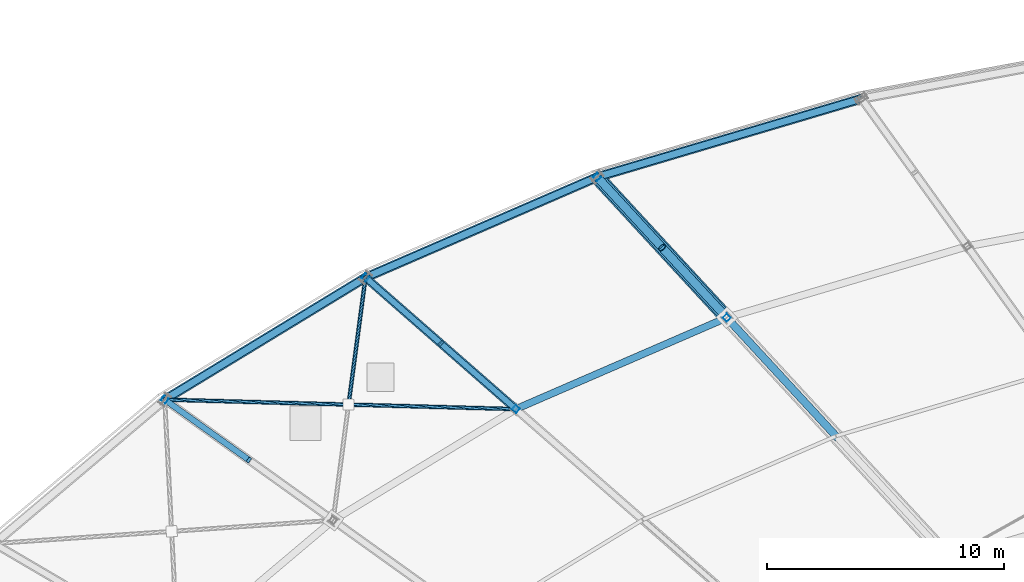
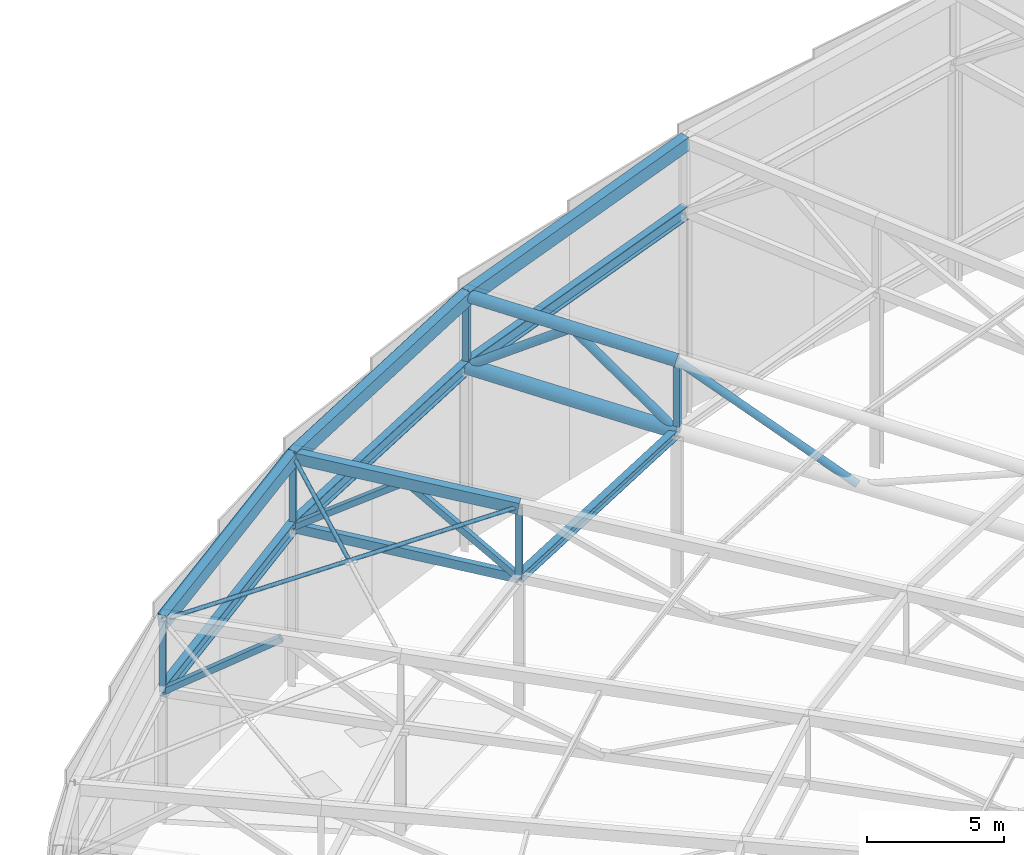
# One storey, part 87 of 143: 13 members, 11 beams.
"""IFC4 building model written with IfcOpenShell, lengths in metres."""

import ifcopenshell
import ifcopenshell.guid

model = None  # the IFC model being written
_history = None  # IfcOwnerHistory: only IFC2X3 demands one
_inside = {}  # id of a spatial element -> (the spatial element, [elements in it])
_under = {}  # id of a project, library or spatial element -> (it, [spatial elements below it])
_declared = {}  # id of a project -> (the project, [libraries it declares])
_typed = {}  # id of a type object -> (the type object, [elements of that type])
_made_of = {}  # id of a material, layer set ... -> (it, [elements and type objects made of it])


def new_model(schema):
    """Start an empty IFC model of exactly this schema.

    Asked for "IFC4X3", IfcOpenShell would pick the latest addendum, in which some entities
    have other attributes; the version numbers below select the first issue.
    IFC2X3 requires an IfcOwnerHistory on every rooted entity: one is made here for all.
    """
    global model, _history
    if schema == "IFC4X3":
        model = ifcopenshell.file(schema_version=(4, 3, 0, 0))
    else:
        model = ifcopenshell.file(schema=schema)
    _inside.clear()
    _under.clear()
    _declared.clear()
    _typed.clear()
    _made_of.clear()
    _history = None
    if model.schema == "IFC2X3":
        org = make("IfcOrganization", Name="unknown")
        user = make(
            "IfcPersonAndOrganization",
            ThePerson=make("IfcPerson", FamilyName="unknown"),
            TheOrganization=org,
        )
        app = make(
            "IfcApplication",
            ApplicationDeveloper=org,
            Version="unknown",
            ApplicationFullName="unknown",
            ApplicationIdentifier="unknown",
        )
        _history = make(
            "IfcOwnerHistory",
            OwningUser=user,
            OwningApplication=app,
            ChangeAction="ADDED",
            CreationDate=0,
        )
    return model


def make(cls, **values):
    """One entity of the class cls with the attributes given. An attribute that is None is left unset."""
    return model.create_entity(
        cls, **{name: value for name, value in values.items() if value is not None}
    )


def rooted(cls, **values):
    """An entity with a GlobalId (a new one), such as an element, a storey or a relation."""
    return make(cls, GlobalId=ifcopenshell.guid.new(), OwnerHistory=_history, **values)


def si_unit(unit_type, name, prefix=None):
    """IfcSIUnit, for example si_unit("LENGTHUNIT", "METRE", prefix="MILLI")."""
    return make("IfcSIUnit", UnitType=unit_type, Prefix=prefix, Name=name)


def assignment(units):
    """IfcUnitAssignment: the units of a project."""
    return None if units is None else make("IfcUnitAssignment", Units=units)


def point(xyz):
    """IfcCartesianPoint."""
    return None if xyz is None else make("IfcCartesianPoint", Coordinates=xyz)


def direction(xyz):
    """IfcDirection."""
    return None if xyz is None else make("IfcDirection", DirectionRatios=xyz)


def frame(location, z_axis=None, x_axis=None):
    """IfcAxis2Placement3D, a coordinate frame: its origin and axes. An axis left out is left unset."""
    return make(
        "IfcAxis2Placement3D",
        Location=point(location),
        Axis=direction(z_axis),
        RefDirection=direction(x_axis),
    )


def frame_2d(location, x_axis=None):
    """IfcAxis2Placement2D, a coordinate frame in the plane: its origin and x axis."""
    return make(
        "IfcAxis2Placement2D", Location=point(location), RefDirection=direction(x_axis)
    )


def origin():
    """The frame at (0, 0, 0) with its axes left unset."""
    return frame((0.0, 0.0, 0.0))


def origin_2d():
    """The frame at (0, 0) in the plane with its x axis left unset."""
    return frame_2d((0.0, 0.0))


def place(relative_to, where):
    """IfcLocalPlacement: puts the frame where relative to a parent placement (None: the world)."""
    return make(
        "IfcLocalPlacement", PlacementRelTo=relative_to, RelativePlacement=where
    )


def context(
    kind, dimensions, precision=None, world=None, true_north=None, identifier=None
):
    """IfcGeometricRepresentationContext, for example the 3D "Model" context."""
    return make(
        "IfcGeometricRepresentationContext",
        ContextIdentifier=identifier,
        ContextType=kind,
        CoordinateSpaceDimension=dimensions,
        Precision=precision,
        WorldCoordinateSystem=world,
        TrueNorth=true_north,
    )


def subcontext(parent, identifier, kind, view, scale=None):
    """IfcGeometricRepresentationSubContext, for example "Body" below "Model"."""
    return make(
        "IfcGeometricRepresentationSubContext",
        ContextIdentifier=identifier,
        ContextType=kind,
        ParentContext=parent,
        TargetScale=scale,
        TargetView=view,
    )


def project(units=None, contexts=None):
    """IfcProject with its units and contexts."""
    return rooted(
        "IfcProject",
        Name="project",
        RepresentationContexts=contexts,
        UnitsInContext=assignment(units),
    )


def spatial(cls, under=None, at=None, **own):
    """A site, building, storey or space (cls), placed at a placement, below another one or the project."""
    s = rooted(cls, ObjectPlacement=at, **own)
    if under is not None:
        _under.setdefault(under.id(), (under, []))[1].append(s)
    return s


def profile(cls, at=None, kind="AREA", **sizes):
    """A parametric profile (cls). Its sizes go by their IFC names, for example OverallWidth=200.0."""
    return make(cls, ProfileType=kind, Position=at, **sizes)


def hollow_rectangle(**sizes):
    """IfcRectangleHollowProfileDef."""
    return profile("IfcRectangleHollowProfileDef", **sizes)


def hollow_circle(**sizes):
    """IfcCircleHollowProfileDef."""
    return profile("IfcCircleHollowProfileDef", **sizes)


def i_section(**sizes):
    """IfcIShapeProfileDef."""
    return profile("IfcIShapeProfileDef", **sizes)


def extrude(swept, where, along, depth):
    """IfcExtrudedAreaSolid: the profile swept, set in the frame where, extruded along a direction by depth."""
    return make(
        "IfcExtrudedAreaSolid",
        SweptArea=swept,
        Position=where,
        ExtrudedDirection=direction(along),
        Depth=depth,
    )


def shape(context_of_items, identifier, shape_type, items):
    """IfcShapeRepresentation: the items that make up one representation, for example the "Body"."""
    return make(
        "IfcShapeRepresentation",
        ContextOfItems=context_of_items,
        RepresentationIdentifier=identifier,
        RepresentationType=shape_type,
        Items=items,
    )


def material(Name=None, Category=None):
    """IfcMaterial."""
    return make("IfcMaterial", Name=Name, Category=Category)


def material_profile(
    of_material, cross_section, Name=None, Category=None, Priority=None
):
    """IfcMaterialProfile: a cross section and its material."""
    return make(
        "IfcMaterialProfile",
        Name=Name,
        Material=of_material,
        Profile=cross_section,
        Priority=Priority,
        Category=Category,
    )


def profile_set(profiles, Name=None, composite=None):
    """IfcMaterialProfileSet."""
    return make(
        "IfcMaterialProfileSet",
        Name=Name,
        MaterialProfiles=profiles,
        CompositeProfile=composite,
    )


def made_of(thing, what):
    """Note that an element or type object is made of a material, layer set ...; save() writes the relation."""
    if what is not None:
        _made_of.setdefault(what.id(), (what, []))[1].append(thing)
    return thing


def type_object(cls, material=None, **own):
    """A type object (cls), such as IfcWallType, which elements share."""
    return made_of(rooted(cls, **own), material)


def element(
    cls,
    number,
    at=None,
    inside=None,
    cuts=None,
    type_object=None,
    material=None,
    context=None,
    identifier="Body",
    shape_type=None,
    held_by="IfcProductDefinitionShape",
    body=None,
    shapes=None,
    **own,
):
    """One element of the class cls, such as IfcWall. Its Tag is "e" and its number.

    at: its placement. inside: the storey or other place that contains it. cuts: it is an
    opening in that element (IfcRelVoidsElement). A single representation is given by context,
    identifier, shape_type and body (its items); several are given by shapes. held_by: the class
    of the entity that holds the representations. save() writes the other relations.
    """
    e = rooted(cls, Tag="e%d" % number, ObjectPlacement=at, **own)
    if body is not None:
        shapes = [shape(context, identifier, shape_type, body)]
    if shapes is not None:
        e.Representation = make(held_by, Representations=shapes)
    if inside is not None:
        _inside.setdefault(inside.id(), (inside, []))[1].append(e)
    if cuts is not None:
        rooted(
            "IfcRelVoidsElement", RelatingBuildingElement=cuts, RelatedOpeningElement=e
        )
    if type_object is not None:
        _typed.setdefault(type_object.id(), (type_object, []))[1].append(e)
    return made_of(e, material)


def aggregate(whole, parts):
    """IfcRelAggregates: a whole, such as a stair, and the parts it consists of."""
    return rooted("IfcRelAggregates", RelatingObject=whole, RelatedObjects=parts)


def save(model, path):
    """Write the relations noted so far, then the file.

    IfcRelAggregates (storeys below a building ...), IfcRelContainedInSpatialStructure (elements
    in a storey), IfcRelDefinesByType, IfcRelAssociatesMaterial and IfcRelDeclares: one each for
    every whole, place, type object, material and project.
    """
    for whole, parts in _under.values():
        aggregate(whole, parts)
    for where, things in _inside.values():
        rooted(
            "IfcRelContainedInSpatialStructure",
            RelatedElements=things,
            RelatingStructure=where,
        )
    for kind, things in _typed.values():
        rooted("IfcRelDefinesByType", RelatedObjects=things, RelatingType=kind)
    for what, things in _made_of.values():
        rooted("IfcRelAssociatesMaterial", RelatedObjects=things, RelatingMaterial=what)
    for by, libraries in _declared.values():
        rooted("IfcRelDeclares", RelatingContext=by, RelatedDefinitions=libraries)
    model.write(path)


model = new_model("IFC4")

# Units and contexts
model_context = context("Model", 3, precision=1e-05, world=origin(), true_north=direction((0.0, 1.0)))
body_context = subcontext(model_context, "Body", "Model", "MODEL_VIEW")
ifc_project = project(units=[si_unit("LENGTHUNIT", "METRE"), si_unit("AREAUNIT", "SQUARE_METRE"), si_unit("VOLUMEUNIT", "CUBIC_METRE"), si_unit("PLANEANGLEUNIT", "RADIAN"), si_unit("MASSUNIT", "GRAM", prefix="KILO")], contexts=[model_context])

# Site, building, storey
site_placement = place(None, origin())
site = spatial("IfcSite", under=ifc_project, at=site_placement, CompositionType="ELEMENT")
building_placement = place(site_placement, origin())
building = spatial("IfcBuilding", under=site, at=building_placement, Name="Mphavela Belvedere Stadium", CompositionType="ELEMENT")
storey_placement = place(building_placement, frame((0.0, 0.0, 28.800048828125)))
storey = spatial("IfcBuildingStorey", under=building, at=storey_placement, Name="RF", CompositionType="ELEMENT", Elevation=28.800048828125)

# Beams
ifc_material_1 = material(Name="Steel S355", Category="steel")
ifc_material_profile_1 = material_profile(ifc_material_1, hollow_rectangle(XDim=0.39990234375, YDim=0.60009765625, WallThickness=0.02001953125, at=origin_2d()), Name="RHS 600x400x20")
ifc_profile_set_1 = profile_set([ifc_material_profile_1], Name="Steel S355")
beam_type_1 = type_object("IfcBeamType", Name="BM-RING-OUT", PredefinedType="BEAM", material=ifc_profile_set_1)
beam_1_placement = place(storey_placement, frame((65.19873046875, 156.39697265625, 12.199951171875), z_axis=(-0.95516666064, -0.283530420158, -0.085247587922), x_axis=(0.284566298727, -0.958656362639, 0.0)))
element("IfcBeam", 1, at=beam_1_placement, inside=storey, type_object=beam_type_1, Name="Perimeter compression ring beam RB-OUT-16", PredefinedType="BEAM", context=body_context, shape_type="SweptSolid", body=[
    extrude(hollow_rectangle(XDim=0.39990234375, YDim=0.60009765625, WallThickness=0.02001953125, at=origin_2d()), origin(), (0.0, 0.0, 1.0), 11.658935546875),
])
beam_2_placement = place(storey_placement, frame((54.0625, 153.09130859375, 11.2060546875), z_axis=(-0.9121115164, -0.395403491348, -0.108206564865), x_axis=(0.397738842004, -0.91749867224, 0.0)))
element("IfcBeam", 2, at=beam_2_placement, inside=storey, type_object=beam_type_1, Name="Perimeter compression ring beam RB-OUT-17", PredefinedType="BEAM", context=body_context, shape_type="SweptSolid", body=[
    extrude(hollow_rectangle(XDim=0.39990234375, YDim=0.60009765625, WallThickness=0.02001953125, at=origin_2d()), origin(), (0.0, 0.0, 1.0), 10.69921875),
])
beam_3_placement = place(storey_placement, frame((44.3037109375, 148.86083984375, 10.04833984375), z_axis=(-0.847679486855, -0.515692686756, -0.124501166227), x_axis=(0.51973651678, -0.854326607994, 0.0)))
element("IfcBeam", 3, at=beam_3_placement, inside=storey, type_object=beam_type_1, Name="Perimeter compression ring beam RB-OUT-18", PredefinedType="BEAM", context=body_context, shape_type="SweptSolid", body=[
    extrude(hollow_rectangle(XDim=0.39990234375, YDim=0.60009765625, WallThickness=0.02001953125, at=origin_2d()), origin(), (0.0, 0.0, 1.0), 9.979248046875),
])
ifc_material_2 = material(Name="Steel S355", Category="steel")
ifc_material_profile_2 = material_profile(ifc_material_2, i_section(OverallWidth=0.300048828125, OverallDepth=0.39990234375, WebThickness=0.013427734375, FlangeThickness=0.02392578125, at=origin_2d()), Name="HEB 400")
ifc_profile_set_2 = profile_set([ifc_material_profile_2], Name="Steel S355")
beam_type_2 = type_object("IfcBeamType", Name="BM-STEEL-HEB400", PredefinedType="BEAM", material=ifc_profile_set_2)
beam_4_placement = place(storey_placement, frame((59.523681640625, 147.16796875, 6.88623046875), z_axis=(-0.912113994664, -0.395396453552, -0.108211391529), x_axis=(0.397731972832, -0.917501650019, 0.0)))
element("IfcBeam", 4, at=beam_4_placement, inside=storey, type_object=beam_type_2, Name="Roof bottom-chord tie girder R3-17", PredefinedType="BEAM", context=body_context, shape_type="SweptSolid", body=[
    extrude(i_section(OverallWidth=0.300048828125, OverallDepth=0.39990234375, WebThickness=0.013427734375, FlangeThickness=0.02392578125, at=origin_2d()), origin(), (0.0, 0.0, 1.0), 9.73974609375),
])
ifc_material_3 = material(Name="Steel S355", Category="steel")
ifc_material_profile_3 = material_profile(ifc_material_3, i_section(OverallWidth=0.300048828125, OverallDepth=0.60009765625, WebThickness=0.015380859375, FlangeThickness=0.030029296875, at=origin_2d()), Name="HEB 600")
ifc_profile_set_3 = profile_set([ifc_material_profile_3], Name="Steel S355")
beam_type_3 = type_object("IfcBeamType", Name="BM-STEEL-HEB600", PredefinedType="BEAM", material=ifc_profile_set_3)
beam_5_placement = place(storey_placement, frame((65.19873046875, 156.39697265625, 9.10498046875), z_axis=(-0.955164955365, -0.283529913966, -0.085268375899), x_axis=(0.284566298727, -0.958656362639, 0.0)))
element("IfcBeam", 5, at=beam_5_placement, inside=storey, type_object=beam_type_3, Name="Roof bottom-chord tie girder R4-16", PredefinedType="BEAM", context=body_context, shape_type="SweptSolid", body=[
    extrude(i_section(OverallWidth=0.300048828125, OverallDepth=0.60009765625, WebThickness=0.015380859375, FlangeThickness=0.030029296875, at=origin_2d()), origin(), (0.0, 0.0, 1.0), 11.658935546875),
])
beam_6_placement = place(storey_placement, frame((54.0625, 153.09130859375, 8.11083984375), z_axis=(-0.912113768302, -0.395404467556, -0.108184013197), x_axis=(0.397738842004, -0.91749867224, 0.0)))
element("IfcBeam", 6, at=beam_6_placement, inside=storey, type_object=beam_type_3, Name="Roof bottom-chord tie girder R4-17", PredefinedType="BEAM", context=body_context, shape_type="SweptSolid", body=[
    extrude(i_section(OverallWidth=0.300048828125, OverallDepth=0.60009765625, WebThickness=0.015380859375, FlangeThickness=0.030029296875, at=origin_2d()), origin(), (0.0, 0.0, 1.0), 10.698974609375),
])
beam_7_placement = place(storey_placement, frame((44.3037109375, 148.86083984375, 6.953369140625), z_axis=(-0.847679486855, -0.515692686756, -0.124501166227), x_axis=(0.51973651678, -0.854326607994, 0.0)))
element("IfcBeam", 7, at=beam_7_placement, inside=storey, type_object=beam_type_3, Name="Roof bottom-chord tie girder R4-18", PredefinedType="BEAM", context=body_context, shape_type="SweptSolid", body=[
    extrude(i_section(OverallWidth=0.300048828125, OverallDepth=0.60009765625, WebThickness=0.015380859375, FlangeThickness=0.030029296875, at=origin_2d()), origin(), (0.0, 0.0, 1.0), 9.979248046875),
])
ifc_material_4 = material(Name="Steel S355", Category="steel")
ifc_material_profile_4 = material_profile(ifc_material_4, hollow_circle(Radius=0.304931640625, WallThickness=0.02490234375, at=origin_2d()), Name="CHS 610x25")
ifc_profile_set_4 = profile_set([ifc_material_profile_4], Name="Steel S355")
beam_type_4 = type_object("IfcBeamType", Name="BM-TRUSS-BC1", PredefinedType="BEAM", material=ifc_profile_set_4)
beam_8_placement = place(storey_placement, frame((54.0625, 153.09130859375, 8.11083984375), z_axis=(0.670146051541, -0.726857861437, -0.150272814812), x_axis=(0.735206448532, 0.67784325477, 0.0)))
element("IfcBeam", 8, at=beam_8_placement, inside=storey, type_object=beam_type_4, Name="Radial roof truss RT-17 bottom chord 1", PredefinedType="BEAM", context=body_context, shape_type="SweptSolid", body=[
    extrude(hollow_circle(Radius=0.304931640625, WallThickness=0.02490234375, at=origin_2d()), origin(), (0.0, 0.0, 1.0), 8.149169921875),
])
ifc_material_5 = material(Name="Steel S355", Category="steel")
ifc_material_profile_5 = material_profile(ifc_material_5, hollow_rectangle(XDim=0.25, YDim=0.39990234375, WallThickness=0.01611328125, at=origin_2d()), Name="RHS 400x250x16")
ifc_profile_set_5 = profile_set([ifc_material_profile_5], Name="Steel S355")
beam_type_5 = type_object("IfcBeamType", Name="BM-TRUSS-BC2", PredefinedType="BEAM", material=ifc_profile_set_5)
beam_9_placement = place(storey_placement, frame((44.3037109375, 148.86083984375, 6.953369140625), z_axis=(0.746004453664, -0.652728745571, -0.131994468895), x_axis=(0.658490236978, 0.752589268993, 0.0)))
element("IfcBeam", 9, at=beam_9_placement, inside=storey, type_object=beam_type_5, Name="Radial roof truss RT-18 bottom chord 1", PredefinedType="BEAM", context=body_context, shape_type="SweptSolid", body=[
    extrude(hollow_rectangle(XDim=0.25, YDim=0.39990234375, WallThickness=0.01611328125, at=origin_2d()), origin(), (0.0, 0.0, 1.0), 8.493408203125),
])
ifc_material_6 = material(Name="Steel S355", Category="steel")
ifc_material_profile_6 = material_profile(ifc_material_6, hollow_circle(Radius=0.25390625, WallThickness=0.02490234375, at=origin_2d()), Name="CHS 508x25")
ifc_profile_set_6 = profile_set([ifc_material_profile_6], Name="Steel S355")
beam_type_6 = type_object("IfcBeamType", Name="BM-TRUSS-TC1", PredefinedType="BEAM", material=ifc_profile_set_6)
beam_10_placement = place(storey_placement, frame((54.0625, 153.09130859375, 11.260986328125), z_axis=(0.670143034278, -0.726854588835, -0.150302096785), x_axis=(0.735206448532, 0.67784325477, 0.0)))
element("IfcBeam", 10, at=beam_10_placement, inside=storey, type_object=beam_type_6, Name="Radial roof truss RT-17 top chord 1", PredefinedType="BEAM", context=body_context, shape_type="SweptSolid", body=[
    extrude(hollow_circle(Radius=0.25390625, WallThickness=0.02490234375, at=origin_2d()), origin(), (0.0, 0.0, 1.0), 8.149169921875),
])
ifc_material_7 = material(Name="Steel S355", Category="steel")
ifc_material_profile_7 = material_profile(ifc_material_7, hollow_rectangle(XDim=0.35009765625, YDim=0.5, WallThickness=0.02001953125, at=origin_2d()), Name="RHS 500x350x20")
ifc_profile_set_7 = profile_set([ifc_material_profile_7], Name="Steel S355")
beam_type_7 = type_object("IfcBeamType", Name="BM-TRUSS-TC2", PredefinedType="BEAM", material=ifc_profile_set_7)
beam_11_placement = place(storey_placement, frame((44.3037109375, 148.86083984375, 10.103271484375), z_axis=(0.746004453664, -0.652728745571, -0.131994468895), x_axis=(0.658490236978, 0.752589268993, 0.0)))
element("IfcBeam", 11, at=beam_11_placement, inside=storey, type_object=beam_type_7, Name="Radial roof truss RT-18 top chord 1", PredefinedType="BEAM", context=body_context, shape_type="SweptSolid", body=[
    extrude(hollow_rectangle(XDim=0.35009765625, YDim=0.5, WallThickness=0.02001953125, at=origin_2d()), origin(), (0.0, 0.0, 1.0), 8.493408203125),
])

# Members
ifc_material_8 = material(Name="Steel S355", Category="steel")
ifc_material_profile_8 = material_profile(ifc_material_8, hollow_circle(Radius=0.161865234375, WallThickness=0.01611328125, at=origin_2d()), Name="CHS 323.9x16")
ifc_profile_set_8 = profile_set([ifc_material_profile_8], Name="Steel S355")
member_type_1 = type_object("IfcMemberType", Name="MEM-DIAG-324", PredefinedType="BRACE", material=ifc_profile_set_8)
member_1_placement = place(storey_placement, frame((59.523681640625, 147.16796875, 10.0361328125), z_axis=(0.583560787104, -0.632912729061, -0.508800830529), x_axis=(0.735189102669, 0.677862068061, 0.0)))
element("IfcMember", 12, at=member_1_placement, inside=storey, type_object=member_type_1, Name="Radial roof truss RT-17 web diagonal D3", PredefinedType="BRACE", context=body_context, shape_type="SweptSolid", body=[
    extrude(hollow_circle(Radius=0.161865234375, WallThickness=0.01611328125, at=origin_2d()), origin(), (0.0, 0.0, 1.0), 8.004150390625),
])
ifc_material_9 = material(Name="Steel S355", Category="steel")
ifc_material_profile_9 = material_profile(ifc_material_9, hollow_circle(Radius=0.177734375, WallThickness=0.01611328125, at=origin_2d()), Name="CHS 355.6x16")
ifc_profile_set_9 = profile_set([ifc_material_profile_9], Name="Steel S355")
member_type_2 = type_object("IfcMemberType", Name="MEM-DIAG-355", PredefinedType="BRACE", material=ifc_profile_set_9)
member_2_placement = place(storey_placement, frame((54.0625, 153.09130859375, 8.11083984375), z_axis=(0.573551566915, -0.622061158538, 0.532990164194), x_axis=(0.735191347118, 0.677859633791, 0.0)))
element("IfcMember", 13, at=member_2_placement, inside=storey, type_object=member_type_2, Name="Radial roof truss RT-17 web diagonal D1", PredefinedType="BRACE", context=body_context, shape_type="SweptSolid", body=[
    extrude(hollow_circle(Radius=0.177734375, WallThickness=0.01611328125, at=origin_2d()), origin(), (0.0, 0.0, 1.0), 4.760986328125),
])
member_3_placement = place(storey_placement, frame((56.793212890625, 150.129638671875, 10.6484375), z_axis=(0.495376163625, -0.537321909954, -0.682559610287), x_axis=(0.735221550202, 0.677826874739, 0.0)))
element("IfcMember", 14, at=member_3_placement, inside=storey, type_object=member_type_2, Name="Radial roof truss RT-17 web diagonal D2", PredefinedType="BRACE", context=body_context, shape_type="SweptSolid", body=[
    extrude(hollow_circle(Radius=0.177734375, WallThickness=0.01611328125, at=origin_2d()), origin(), (0.0, 0.0, 1.0), 5.511962890625),
])
ifc_material_10 = material(Name="Steel S355", Category="steel")
ifc_material_profile_10 = material_profile(ifc_material_10, hollow_rectangle(XDim=0.25, YDim=0.25, WallThickness=0.012451171875, at=origin_2d()), Name="SHS 250x250x12.5")
ifc_profile_set_10 = profile_set([ifc_material_profile_10], Name="Steel S355")
member_type_3 = type_object("IfcMemberType", Name="MEM-POST-SHS250", PredefinedType="POST", material=ifc_profile_set_10)
member_4_placement = place(storey_placement, frame((54.0625, 153.09130859375, 8.11083984375), z_axis=(0.0, 0.0, 1.0), x_axis=(-0.677903094969, 0.735151272753, 0.0)))
element("IfcMember", 15, at=member_4_placement, inside=storey, type_object=member_type_3, Name="Radial roof truss RT-17 post P1", PredefinedType="POST", context=body_context, shape_type="SweptSolid", body=[
    extrude(hollow_rectangle(XDim=0.25, YDim=0.25, WallThickness=0.012451171875, at=origin_2d()), origin(), (0.0, 0.0, 1.0), 3.150146484375),
])
for number, where, z_axis, x_axis, name in (
    (16, (59.523681640625, 147.16796875, 6.88623046875), (0.0, 0.0, 1.0), (-0.677903094969, 0.735151272753, 0.0), "Radial roof truss RT-17 post P2"),
    (17, (44.3037109375, 148.86083984375, 6.953369140625), (0.0, 0.0, 1.0), (-0.752529860433, 0.658558128912, 0.0), "Radial roof truss RT-18 post P1"),
    (18, (50.639892578125, 143.31689453125, 5.832275390625), (0.0, 0.0, 1.0), (-0.752529860433, 0.658558128912, 0.0), "Radial roof truss RT-18 post P2"),
):
    element("IfcMember", number, at=place(storey_placement, frame(where, z_axis=z_axis, x_axis=x_axis)), inside=storey, type_object=member_type_3, Name=name, PredefinedType="POST", context=body_context, shape_type="SweptSolid", body=[
        extrude(hollow_rectangle(XDim=0.25, YDim=0.25, WallThickness=0.012451171875, at=origin_2d()), origin(), (0.0, 0.0, 1.0), 3.14990234375),
    ])
member_5_placement = place(storey_placement, frame((44.3037109375, 148.86083984375, 6.953369140625), z_axis=(0.641013210253, -0.560886558971, 0.523935427554), x_axis=(0.658504607869, 0.752576694707, 0.0)))
element("IfcMember", 19, at=member_5_placement, inside=storey, type_object=member_type_3, Name="Radial roof truss RT-18 web diagonal D1", PredefinedType="POST", context=body_context, shape_type="SweptSolid", body=[
    extrude(hollow_rectangle(XDim=0.25, YDim=0.25, WallThickness=0.012451171875, at=origin_2d()), origin(), (0.0, 0.0, 1.0), 4.942138671875),
])
member_6_placement = place(storey_placement, frame((47.4716796875, 146.0888671875, 9.542724609375), z_axis=(0.564593708494, -0.49398142608, -0.661223332179), x_axis=(0.658475866476, 0.752601842457, 0.0)))
element("IfcMember", 20, at=member_6_placement, inside=storey, type_object=member_type_3, Name="Radial roof truss RT-18 web diagonal D2", PredefinedType="POST", context=body_context, shape_type="SweptSolid", body=[
    extrude(hollow_rectangle(XDim=0.25, YDim=0.25, WallThickness=0.012451171875, at=origin_2d()), origin(), (0.0, 0.0, 1.0), 5.611572265625),
])
member_7_placement = place(storey_placement, frame((35.844482421875, 143.714599609375, 5.7109375), z_axis=(0.0, 0.0, 1.0), x_axis=(-0.812897512265, 0.582406760395, 0.0)))
element("IfcMember", 21, at=member_7_placement, inside=storey, type_object=member_type_3, Name="Radial roof truss RT-19 post P1", PredefinedType="POST", context=body_context, shape_type="SweptSolid", body=[
    extrude(hollow_rectangle(XDim=0.25, YDim=0.25, WallThickness=0.012451171875, at=origin_2d()), origin(), (0.0, 0.0, 1.0), 3.14990234375),
])
member_8_placement = place(storey_placement, frame((35.844482421875, 143.714599609375, 5.7109375), z_axis=(0.695147176222, -0.498071588167, 0.518358077444), x_axis=(0.582428376319, 0.812882024932, 0.0)))
element("IfcMember", 22, at=member_8_placement, inside=storey, type_object=member_type_3, Name="Radial roof truss RT-19 web diagonal D1", PredefinedType="POST", context=body_context, shape_type="SweptSolid", body=[
    extrude(hollow_rectangle(XDim=0.25, YDim=0.25, WallThickness=0.012451171875, at=origin_2d()), origin(), (0.0, 0.0, 1.0), 5.102783203125),
])
ifc_material_11 = material(Name="Steel S355", Category="steel")
ifc_material_profile_11 = material_profile(ifc_material_11, hollow_circle(Radius=0.084228515625, WallThickness=0.010009765625, at=origin_2d()), Name="CHS 168.3x10")
ifc_profile_set_11 = profile_set([ifc_material_profile_11], Name="Steel S355")
member_type_4 = type_object("IfcMemberType", Name="MEM-ROOF-XBRACE", PredefinedType="BRACE", material=ifc_profile_set_11)
member_9_placement = place(storey_placement, frame((50.639892578125, 143.31689453125, 8.982177734375), z_axis=(-0.999605329873, 0.026869692128, -0.008197812761), x_axis=(-0.026870595051, -0.999638920372, 0.0)))
element("IfcMember", 23, at=member_9_placement, inside=storey, type_object=member_type_4, Name="Roof diaphragm continuous X-brace A 18", PredefinedType="BRACE", context=body_context, shape_type="SweptSolid", body=[
    extrude(hollow_circle(Radius=0.084228515625, WallThickness=0.010009765625, at=origin_2d()), origin(), (0.0, 0.0, 1.0), 14.80126953125),
])
member_10_placement = place(storey_placement, frame((44.3037109375, 148.86083984375, 10.103271484375), z_axis=(-0.129244122626, -0.968425725123, -0.213184360792), x_axis=(0.991211709971, -0.132285093703, 0.0)))
element("IfcMember", 24, at=member_10_placement, inside=storey, type_object=member_type_4, Name="Roof diaphragm split X-brace B1 18", PredefinedType="BRACE", context=body_context, shape_type="SweptSolid", body=[
    extrude(hollow_circle(Radius=0.084228515625, WallThickness=0.010009765625, at=origin_2d()), origin(), (0.0, 0.0, 1.0), 5.529052734375),
])

save(model, "model.ifc")
